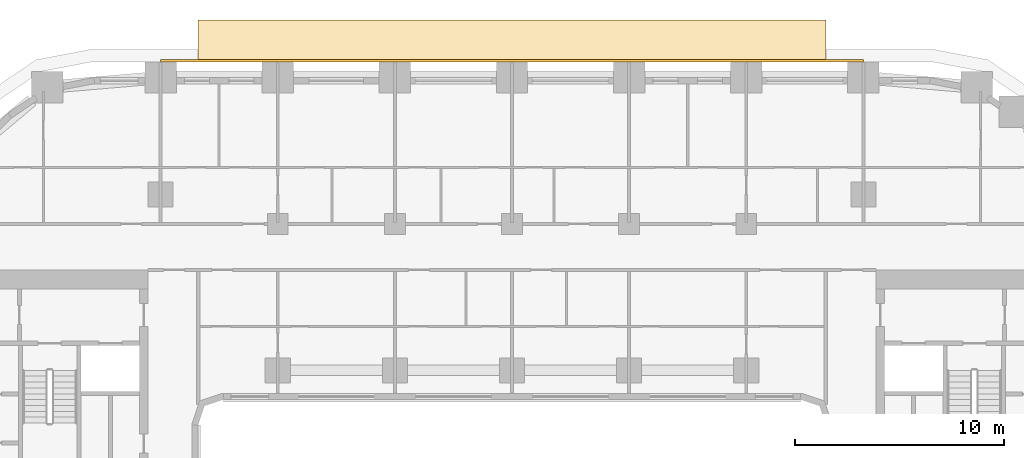
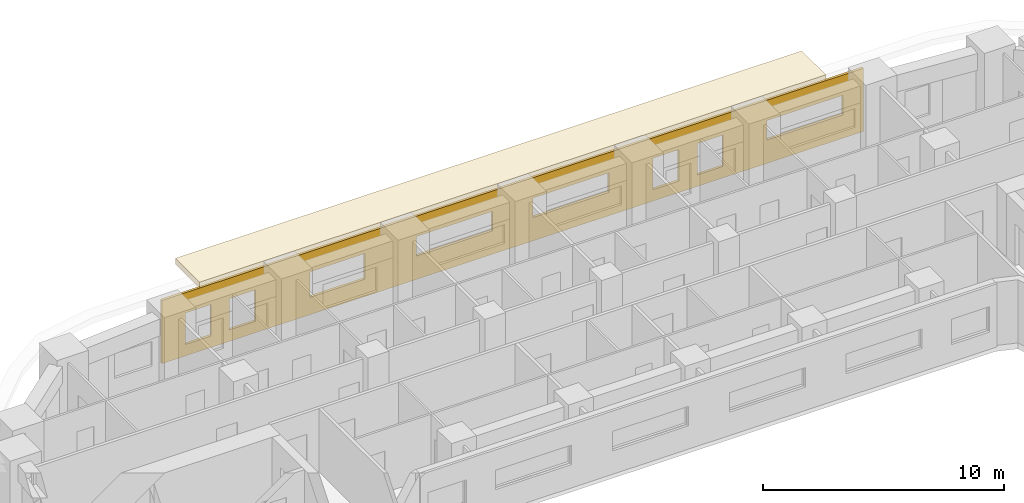
# One storey, part 20 of 21: 2 coverings.
"""IFC4 building model written with IfcOpenShell, lengths in metres."""

from ifc_helpers import new_model, si_unit, direction, frame, origin, place, context, subcontext, project, spatial, polyline, outline, extrude, material, layer, layer_set, type_object, element, save


model = new_model("IFC4")

# Units and contexts
model_context = context("Model", 3, precision=1e-05, world=origin(), true_north=direction((0.0, 1.0)))
body_context = subcontext(model_context, "Body", "Model", "MODEL_VIEW")
ifc_project = project(units=[si_unit("LENGTHUNIT", "METRE"), si_unit("AREAUNIT", "SQUARE_METRE"), si_unit("VOLUMEUNIT", "CUBIC_METRE"), si_unit("PLANEANGLEUNIT", "RADIAN"), si_unit("MASSUNIT", "GRAM", prefix="KILO")], contexts=[model_context])

# Site, building, storey
site_placement = place(None, origin())
site = spatial("IfcSite", under=ifc_project, at=site_placement, CompositionType="ELEMENT")
building_placement = place(site_placement, origin())
building = spatial("IfcBuilding", under=site, at=building_placement, Name="Kiln Ring Residences", CompositionType="ELEMENT")
storey_placement = place(building_placement, frame((0.0, 0.0, 41.0)))
storey = spatial("IfcBuildingStorey", under=building, at=storey_placement, Name="L09", CompositionType="ELEMENT", Elevation=41.0)

# Coverings
ifc_material_1 = material(Name="Brick masonry, dark clay brick", Category="masonry")
ifc_layer_1 = layer(ifc_material_1, 0.1201171875)
ifc_layer_set_1 = layer_set([ifc_layer_1], Name="RAINSCREEN PANEL 120")
covering_type_1 = type_object("IfcCoveringType", Name="RAINSCREEN PANEL 120", PredefinedType="CLADDING", material=ifc_layer_set_1)
covering_1_placement = place(storey_placement, frame((16.800048828125, 23.2099609375, 0.0), z_axis=(0.0, 0.0, 1.0), x_axis=(-1.0, 0.0, 0.0)))
element("IfcCovering", 1, at=covering_1_placement, inside=storey, type_object=covering_type_1, Name="RAINSCREEN L09", PredefinedType="CLADDING", context=body_context, shape_type="SweptSolid", body=[
    extrude(outline(polyline([(0.0, 0.0), (33.60009765625, 0.0), (33.60009765625, 3.199951171875), (0.0, 3.199951171875), (0.0, 0.0)]), holes=[polyline([(6.717529296875, 0.580078125), (7.95751953125, 0.580078125), (7.95751953125, 2.169921875), (6.717529296875, 2.169921875), (6.717529296875, 0.580078125)]), polyline([(8.842529296875, 0.580078125), (10.08251953125, 0.580078125), (10.08251953125, 2.169921875), (8.842529296875, 2.169921875), (8.842529296875, 0.580078125)]), polyline([(29.117431640625, 0.580078125), (30.357421875, 0.580078125), (30.357421875, 2.169921875), (29.117431640625, 2.169921875), (29.117431640625, 0.580078125)]), polyline([(31.242431640625, 0.580078125), (32.482421875, 0.580078125), (32.482421875, 2.169921875), (31.242431640625, 2.169921875), (31.242431640625, 0.580078125)]), polyline([(23.8798828125, 0.8798828125), (26.52001953125, 0.8798828125), (26.52001953125, 2.169921875), (23.8798828125, 2.169921875), (23.8798828125, 0.8798828125)]), polyline([(0.97998046875, 1.179931640625), (4.6201171875, 1.179931640625), (4.6201171875, 2.169921875), (0.97998046875, 2.169921875), (0.97998046875, 1.179931640625)]), polyline([(12.179931640625, 1.179931640625), (15.820068359375, 1.179931640625), (15.820068359375, 2.169921875), (12.179931640625, 2.169921875), (12.179931640625, 1.179931640625)]), polyline([(17.780029296875, 1.179931640625), (21.419921875, 1.179931640625), (21.419921875, 2.169921875), (17.780029296875, 2.169921875), (17.780029296875, 1.179931640625)])]), frame((0.0, 0.06005859375, 0.0), z_axis=(0.0, -1.0, 0.0), x_axis=(1.0, 0.0, 0.0)), (0.0, 0.0, 1.0), 0.1201171875),
])
ifc_material_2 = material(Name="Black powder-coated steel", Category="steel")
ifc_layer_2 = layer(ifc_material_2, 0.300048828125)
ifc_layer_set_2 = layer_set([ifc_layer_2], Name="SUNSHADE BAND 2000")
covering_type_2 = type_object("IfcCoveringType", Name="SUNSHADE BAND 2000", PredefinedType="CLADDING", material=ifc_layer_set_2)
covering_2_placement = place(storey_placement, frame((0.0, 0.0, 3.199951171875)))
element("IfcCovering", 2, at=covering_2_placement, inside=storey, type_object=covering_type_2, Name="SUNSHADE BAND L09", PredefinedType="CLADDING", context=body_context, shape_type="SweptSolid", body=[
    extrude(outline(polyline([(15.0, 25.14990234375), (-15.0, 25.14990234375), (-15.0, 23.14990234375), (15.0, 23.14990234375), (15.0, 25.14990234375)])), origin(), (0.0, 0.0, 1.0), 0.300048828125),
])

save(model, "model.ifc")
